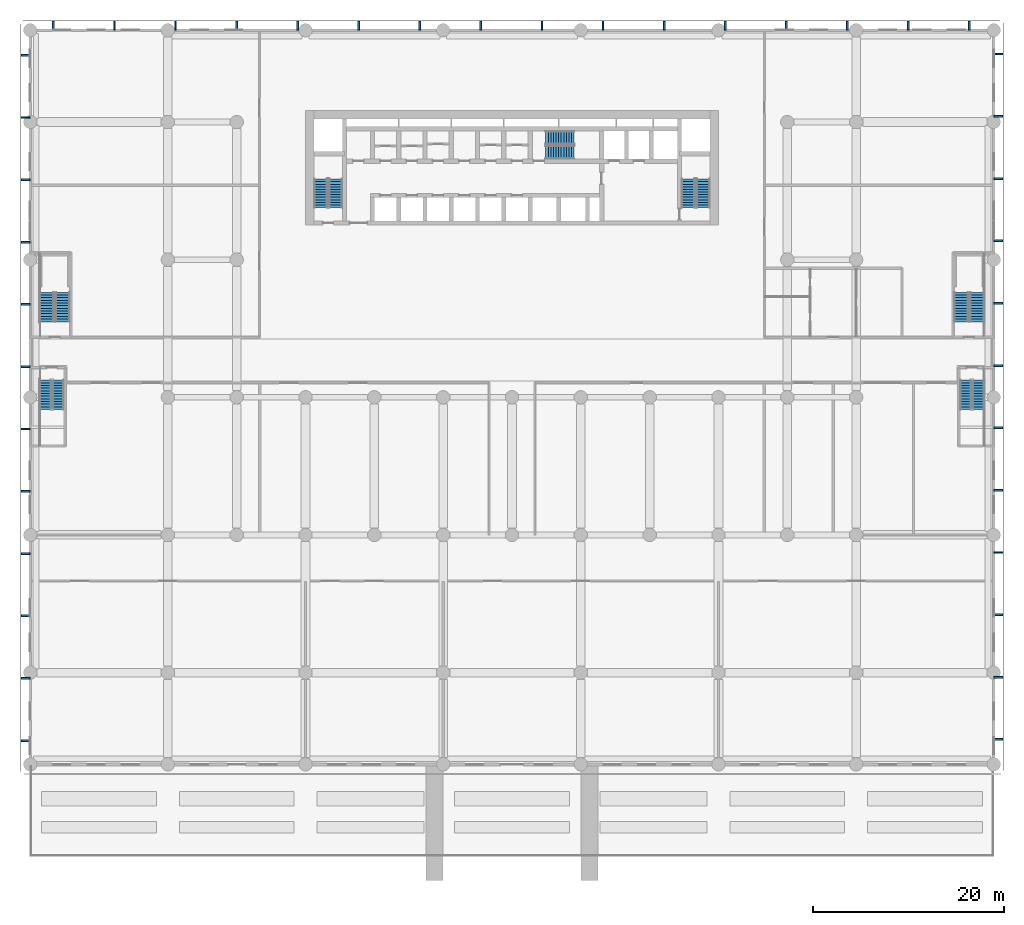
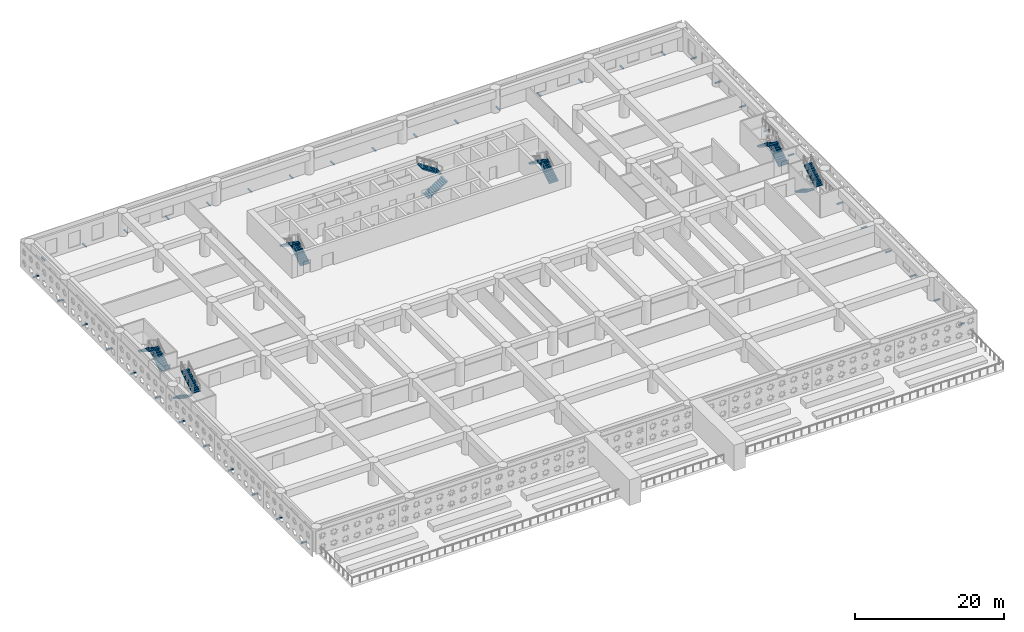
# One storey, part 11 of 24: 40 discrete accessories, 14 stair flights, 7 elements without a shape of their own.
"""IFC4 building model written with IfcOpenShell, lengths in metres."""

from ifc_helpers import new_model, si_unit, direction, frame, origin, origin_2d, place, context, subcontext, project, spatial, polyline, rectangle, outline, extrude, source, transform, mapped, material, layer, layer_set, type_object, element, aggregate, save


model = new_model("IFC4")

# Units and contexts
model_context = context("Model", 3, precision=1e-05, world=origin(), true_north=direction((0.0, 1.0)))
body_context = subcontext(model_context, "Body", "Model", "MODEL_VIEW")
ifc_project = project(units=[si_unit("LENGTHUNIT", "METRE"), si_unit("AREAUNIT", "SQUARE_METRE"), si_unit("VOLUMEUNIT", "CUBIC_METRE"), si_unit("PLANEANGLEUNIT", "RADIAN"), si_unit("MASSUNIT", "GRAM", prefix="KILO")], contexts=[model_context])

# Site, building, storey
site_placement = place(None, origin())
site = spatial("IfcSite", under=ifc_project, at=site_placement, CompositionType="ELEMENT")
building_placement = place(site_placement, origin())
building = spatial("IfcBuilding", under=site, at=building_placement, Name="Saffron Iwan Residences", CompositionType="ELEMENT")
storey_placement = place(building_placement, frame((0.0, 0.0, 13.199951171875)))
storey = spatial("IfcBuildingStorey", under=building, at=storey_placement, Name="L02", CompositionType="ELEMENT", Elevation=13.199951171875)

# Stair, stair flights
ifc_material_1 = material(Name="Concrete C40/50", Category="concrete")
stair_type_1 = type_object("IfcStairType", Name="Podium stair, reinforced concrete", PredefinedType="HALF_TURN_STAIR", material=ifc_material_1)
stair_1_placement = place(storey_placement, origin())
stair_1 = element("IfcStair", 1, at=stair_1_placement, inside=storey, type_object=stair_type_1, Name="L02 Podium Stair 1", PredefinedType="HALF_TURN_STAIR")
stair_flight_type_1 = type_object("IfcStairFlightType", Name="Podium stair flight, reinforced concrete", PredefinedType="STRAIGHT", material=ifc_material_1)
stair_flight_1_placement = place(storey_placement, frame((1.60009765625, 49.800048828125, 0.0), z_axis=(0.0, 0.0, 1.0), x_axis=(0.0, -1.0, 0.0)))
stair_flight_1 = element("IfcStairFlight", 2, at=stair_flight_1_placement, type_object=stair_flight_type_1, Name="PS1 flight 1", NumberOfRisers=12, NumberOfTreads=11, PredefinedType="STRAIGHT", RiserHeight=0.175, TreadLength=0.28, context=body_context, shape_type="SweptSolid", body=[
    extrude(outline(polyline([(0.0, 0.0), (0.0, 0.175048828125), (0.280029296875, 0.175048828125), (0.280029296875, 0.35009765625), (0.56005859375, 0.35009765625), (0.56005859375, 0.52490234375), (0.840087890625, 0.52490234375), (0.840087890625, 0.699951171875), (1.1201171875, 0.699951171875), (1.1201171875, 0.875), (1.39990234375, 0.875), (1.39990234375, 1.050048828125), (1.679931640625, 1.050048828125), (1.679931640625, 1.22509765625), (1.9599609375, 1.22509765625), (1.9599609375, 1.39990234375), (2.239990234375, 1.39990234375), (2.239990234375, 1.574951171875), (2.52001953125, 1.574951171875), (2.52001953125, 1.75), (2.800048828125, 1.75), (2.800048828125, 1.925048828125), (3.080078125, 1.925048828125), (3.080078125, 2.10009765625), (3.080078125, 1.748291015625), (0.28271484375, 0.0), (0.0, 0.0)])), frame((0.0, 0.60009765625, 0.0), z_axis=(0.0, -1.0, 0.0), x_axis=(1.0, 0.0, 0.0)), (0.0, 0.0, 1.0), 1.199951171875),
])
stair_flight_2_placement = place(storey_placement, frame((2.949951171875, 46.719970703125, 2.10009765625), z_axis=(0.0, 0.0, 1.0), x_axis=(0.0, 1.0, 0.0)))
stair_flight_2 = element("IfcStairFlight", 3, at=stair_flight_2_placement, type_object=stair_flight_type_1, Name="PS1 flight 2", NumberOfRisers=12, NumberOfTreads=11, PredefinedType="STRAIGHT", RiserHeight=0.175, TreadLength=0.28, context=body_context, shape_type="SweptSolid", body=[
    extrude(outline(polyline([(0.0, 0.0), (0.0, 0.175048828125), (0.280029296875, 0.175048828125), (0.280029296875, 0.35009765625), (0.56005859375, 0.35009765625), (0.56005859375, 0.52490234375), (0.840087890625, 0.52490234375), (0.840087890625, 0.699951171875), (1.1201171875, 0.699951171875), (1.1201171875, 0.875), (1.39990234375, 0.875), (1.39990234375, 1.050048828125), (1.679931640625, 1.050048828125), (1.679931640625, 1.22509765625), (1.9599609375, 1.22509765625), (1.9599609375, 1.39990234375), (2.239990234375, 1.39990234375), (2.239990234375, 1.574951171875), (2.52001953125, 1.574951171875), (2.52001953125, 1.75), (2.800048828125, 1.75), (2.800048828125, 1.925048828125), (3.080078125, 1.925048828125), (3.080078125, 2.10009765625), (3.080078125, 1.748291015625), (0.28271484375, 0.0), (0.0, 0.0)])), frame((0.0, 0.60009765625, 0.0), z_axis=(0.0, -1.0, 0.0), x_axis=(1.0, 0.0, 0.0)), (0.0, 0.0, 1.0), 1.199951171875),
])
aggregate(stair_1, [stair_flight_1, stair_flight_2])

stair_2_placement = place(storey_placement, origin())
stair_2 = element("IfcStair", 4, at=stair_2_placement, inside=storey, type_object=stair_type_1, Name="L02 Podium Stair 2", PredefinedType="HALF_TURN_STAIR")
stair_flight_3_placement = place(storey_placement, frame((97.85009765625, 49.800048828125, 0.0), z_axis=(0.0, 0.0, 1.0), x_axis=(0.0, -1.0, 0.0)))
stair_flight_3 = element("IfcStairFlight", 5, at=stair_flight_3_placement, type_object=stair_flight_type_1, Name="PS2 flight 1", NumberOfRisers=12, NumberOfTreads=11, PredefinedType="STRAIGHT", RiserHeight=0.175, TreadLength=0.28, context=body_context, shape_type="SweptSolid", body=[
    extrude(outline(polyline([(0.0, 0.0), (0.0, 0.175048828125), (0.280029296875, 0.175048828125), (0.280029296875, 0.35009765625), (0.56005859375, 0.35009765625), (0.56005859375, 0.52490234375), (0.840087890625, 0.52490234375), (0.840087890625, 0.699951171875), (1.1201171875, 0.699951171875), (1.1201171875, 0.875), (1.39990234375, 0.875), (1.39990234375, 1.050048828125), (1.679931640625, 1.050048828125), (1.679931640625, 1.22509765625), (1.9599609375, 1.22509765625), (1.9599609375, 1.39990234375), (2.239990234375, 1.39990234375), (2.239990234375, 1.574951171875), (2.52001953125, 1.574951171875), (2.52001953125, 1.75), (2.800048828125, 1.75), (2.800048828125, 1.925048828125), (3.080078125, 1.925048828125), (3.080078125, 2.10009765625), (3.080078125, 1.748291015625), (0.28271484375, 0.0), (0.0, 0.0)])), frame((0.0, 0.60009765625, 0.0), z_axis=(0.0, -1.0, 0.0), x_axis=(1.0, 0.0, 0.0)), (0.0, 0.0, 1.0), 1.199951171875),
])
stair_flight_4_placement = place(storey_placement, frame((99.199951171875, 46.719970703125, 2.10009765625), z_axis=(0.0, 0.0, 1.0), x_axis=(0.0, 1.0, 0.0)))
stair_flight_4 = element("IfcStairFlight", 6, at=stair_flight_4_placement, type_object=stair_flight_type_1, Name="PS2 flight 2", NumberOfRisers=12, NumberOfTreads=11, PredefinedType="STRAIGHT", RiserHeight=0.175, TreadLength=0.28, context=body_context, shape_type="SweptSolid", body=[
    extrude(outline(polyline([(0.0, 0.0), (0.0, 0.175048828125), (0.280029296875, 0.175048828125), (0.280029296875, 0.35009765625), (0.56005859375, 0.35009765625), (0.56005859375, 0.52490234375), (0.840087890625, 0.52490234375), (0.840087890625, 0.699951171875), (1.1201171875, 0.699951171875), (1.1201171875, 0.875), (1.39990234375, 0.875), (1.39990234375, 1.050048828125), (1.679931640625, 1.050048828125), (1.679931640625, 1.22509765625), (1.9599609375, 1.22509765625), (1.9599609375, 1.39990234375), (2.239990234375, 1.39990234375), (2.239990234375, 1.574951171875), (2.52001953125, 1.574951171875), (2.52001953125, 1.75), (2.800048828125, 1.75), (2.800048828125, 1.925048828125), (3.080078125, 1.925048828125), (3.080078125, 2.10009765625), (3.080078125, 1.748291015625), (0.28271484375, 0.0), (0.0, 0.0)])), frame((0.0, 0.60009765625, 0.0), z_axis=(0.0, -1.0, 0.0), x_axis=(1.0, 0.0, 0.0)), (0.0, 0.0, 1.0), 1.199951171875),
])
aggregate(stair_2, [stair_flight_3, stair_flight_4])

stair_3_placement = place(storey_placement, origin())
stair_3 = element("IfcStair", 7, at=stair_3_placement, inside=storey, type_object=stair_type_1, Name="L02 Podium Stair 3", PredefinedType="HALF_TURN_STAIR")
stair_flight_5_placement = place(storey_placement, frame((3.39990234375, 55.89990234375, 0.0), z_axis=(0.0, 0.0, 1.0), x_axis=(0.0, 1.0, 0.0)))
stair_flight_5 = element("IfcStairFlight", 8, at=stair_flight_5_placement, type_object=stair_flight_type_1, Name="PS3 flight 1", NumberOfRisers=12, NumberOfTreads=11, PredefinedType="STRAIGHT", RiserHeight=0.175, TreadLength=0.28, context=body_context, shape_type="SweptSolid", body=[
    extrude(outline(polyline([(0.0, 0.0), (0.0, 0.175048828125), (0.280029296875, 0.175048828125), (0.280029296875, 0.35009765625), (0.56005859375, 0.35009765625), (0.56005859375, 0.52490234375), (0.840087890625, 0.52490234375), (0.840087890625, 0.699951171875), (1.1201171875, 0.699951171875), (1.1201171875, 0.875), (1.39990234375, 0.875), (1.39990234375, 1.050048828125), (1.679931640625, 1.050048828125), (1.679931640625, 1.22509765625), (1.9599609375, 1.22509765625), (1.9599609375, 1.39990234375), (2.239990234375, 1.39990234375), (2.239990234375, 1.574951171875), (2.52001953125, 1.574951171875), (2.52001953125, 1.75), (2.800048828125, 1.75), (2.800048828125, 1.925048828125), (3.080078125, 1.925048828125), (3.080078125, 2.10009765625), (3.080078125, 1.748291015625), (0.28271484375, 0.0), (0.0, 0.0)])), frame((0.0, 0.75, 0.0), z_axis=(0.0, -1.0, 0.0), x_axis=(1.0, 0.0, 0.0)), (0.0, 0.0, 1.0), 1.5),
])
stair_flight_6_placement = place(storey_placement, frame((1.75, 58.97998046875, 2.10009765625), z_axis=(0.0, 0.0, 1.0), x_axis=(0.0, -1.0, 0.0)))
stair_flight_6 = element("IfcStairFlight", 9, at=stair_flight_6_placement, type_object=stair_flight_type_1, Name="PS3 flight 2", NumberOfRisers=12, NumberOfTreads=11, PredefinedType="STRAIGHT", RiserHeight=0.175, TreadLength=0.28, context=body_context, shape_type="SweptSolid", body=[
    extrude(outline(polyline([(0.0, 0.0), (0.0, 0.175048828125), (0.280029296875, 0.175048828125), (0.280029296875, 0.35009765625), (0.56005859375, 0.35009765625), (0.56005859375, 0.52490234375), (0.840087890625, 0.52490234375), (0.840087890625, 0.699951171875), (1.1201171875, 0.699951171875), (1.1201171875, 0.875), (1.39990234375, 0.875), (1.39990234375, 1.050048828125), (1.679931640625, 1.050048828125), (1.679931640625, 1.22509765625), (1.9599609375, 1.22509765625), (1.9599609375, 1.39990234375), (2.239990234375, 1.39990234375), (2.239990234375, 1.574951171875), (2.52001953125, 1.574951171875), (2.52001953125, 1.75), (2.800048828125, 1.75), (2.800048828125, 1.925048828125), (3.080078125, 1.925048828125), (3.080078125, 2.10009765625), (3.080078125, 1.748291015625), (0.28271484375, 0.0), (0.0, 0.0)])), frame((0.0, 0.75, 0.0), z_axis=(0.0, -1.0, 0.0), x_axis=(1.0, 0.0, 0.0)), (0.0, 0.0, 1.0), 1.5),
])
aggregate(stair_3, [stair_flight_5, stair_flight_6])

stair_4_placement = place(storey_placement, origin())
stair_4 = element("IfcStair", 10, at=stair_4_placement, inside=storey, type_object=stair_type_1, Name="L02 Podium Stair 4", PredefinedType="HALF_TURN_STAIR")
stair_flight_7_placement = place(storey_placement, frame((99.050048828125, 55.89990234375, 0.0), z_axis=(0.0, 0.0, 1.0), x_axis=(0.0, 1.0, 0.0)))
stair_flight_7 = element("IfcStairFlight", 11, at=stair_flight_7_placement, type_object=stair_flight_type_1, Name="PS4 flight 1", NumberOfRisers=12, NumberOfTreads=11, PredefinedType="STRAIGHT", RiserHeight=0.175, TreadLength=0.28, context=body_context, shape_type="SweptSolid", body=[
    extrude(outline(polyline([(0.0, 0.0), (0.0, 0.175048828125), (0.280029296875, 0.175048828125), (0.280029296875, 0.35009765625), (0.56005859375, 0.35009765625), (0.56005859375, 0.52490234375), (0.840087890625, 0.52490234375), (0.840087890625, 0.699951171875), (1.1201171875, 0.699951171875), (1.1201171875, 0.875), (1.39990234375, 0.875), (1.39990234375, 1.050048828125), (1.679931640625, 1.050048828125), (1.679931640625, 1.22509765625), (1.9599609375, 1.22509765625), (1.9599609375, 1.39990234375), (2.239990234375, 1.39990234375), (2.239990234375, 1.574951171875), (2.52001953125, 1.574951171875), (2.52001953125, 1.75), (2.800048828125, 1.75), (2.800048828125, 1.925048828125), (3.080078125, 1.925048828125), (3.080078125, 2.10009765625), (3.080078125, 1.748291015625), (0.28271484375, 0.0), (0.0, 0.0)])), frame((0.0, 0.75, 0.0), z_axis=(0.0, -1.0, 0.0), x_axis=(1.0, 0.0, 0.0)), (0.0, 0.0, 1.0), 1.5),
])
stair_flight_8_placement = place(storey_placement, frame((97.39990234375, 58.97998046875, 2.10009765625), z_axis=(0.0, 0.0, 1.0), x_axis=(0.0, -1.0, 0.0)))
stair_flight_8 = element("IfcStairFlight", 12, at=stair_flight_8_placement, type_object=stair_flight_type_1, Name="PS4 flight 2", NumberOfRisers=12, NumberOfTreads=11, PredefinedType="STRAIGHT", RiserHeight=0.175, TreadLength=0.28, context=body_context, shape_type="SweptSolid", body=[
    extrude(outline(polyline([(0.0, 0.0), (0.0, 0.175048828125), (0.280029296875, 0.175048828125), (0.280029296875, 0.35009765625), (0.56005859375, 0.35009765625), (0.56005859375, 0.52490234375), (0.840087890625, 0.52490234375), (0.840087890625, 0.699951171875), (1.1201171875, 0.699951171875), (1.1201171875, 0.875), (1.39990234375, 0.875), (1.39990234375, 1.050048828125), (1.679931640625, 1.050048828125), (1.679931640625, 1.22509765625), (1.9599609375, 1.22509765625), (1.9599609375, 1.39990234375), (2.239990234375, 1.39990234375), (2.239990234375, 1.574951171875), (2.52001953125, 1.574951171875), (2.52001953125, 1.75), (2.800048828125, 1.75), (2.800048828125, 1.925048828125), (3.080078125, 1.925048828125), (3.080078125, 2.10009765625), (3.080078125, 1.748291015625), (0.28271484375, 0.0), (0.0, 0.0)])), frame((0.0, 0.75, 0.0), z_axis=(0.0, -1.0, 0.0), x_axis=(1.0, 0.0, 0.0)), (0.0, 0.0, 1.0), 1.5),
])
aggregate(stair_4, [stair_flight_7, stair_flight_8])

ifc_material_2 = material(Name="Concrete C50/60", Category="concrete")
stair_type_2 = type_object("IfcStairType", Name="Stair ST-CORE", PredefinedType="HALF_TURN_STAIR", material=ifc_material_2)
stair_5_placement = place(storey_placement, origin())
stair_5 = element("IfcStair", 13, at=stair_5_placement, inside=storey, type_object=stair_type_2, Name="L02 Exit Stair ST-W", PredefinedType="HALF_TURN_STAIR")
ifc_layer = layer(ifc_material_2, 0.14990234375)
ifc_layer_set = layer_set([ifc_layer], Name="Concrete C50/60")
stair_flight_type_2 = type_object("IfcStairFlightType", Name="Stair flight SFL-RC", PredefinedType="STRAIGHT", material=ifc_layer_set)
stair_flight_9_placement = place(storey_placement, frame((31.949951171875, 67.85009765625, 0.0), z_axis=(0.0, 0.0, 1.0), x_axis=(0.0, 1.0, 0.0)))
stair_flight_9 = element("IfcStairFlight", 14, at=stair_flight_9_placement, type_object=stair_flight_type_2, Name="ST-W flight 1", NumberOfRisers=12, NumberOfTreads=11, PredefinedType="STRAIGHT", RiserHeight=0.175, TreadLength=0.27, context=body_context, shape_type="SweptSolid", body=[
    extrude(outline(polyline([(0.0, 0.0), (0.0, 0.175048828125), (0.27001953125, 0.175048828125), (0.27001953125, 0.35009765625), (0.5400390625, 0.35009765625), (0.5400390625, 0.52490234375), (0.81005859375, 0.52490234375), (0.81005859375, 0.699951171875), (1.080078125, 0.699951171875), (1.080078125, 0.875), (1.35009765625, 0.875), (1.35009765625, 1.050048828125), (1.6201171875, 1.050048828125), (1.6201171875, 1.22509765625), (1.889892578125, 1.22509765625), (1.889892578125, 1.39990234375), (2.159912109375, 1.39990234375), (2.159912109375, 1.574951171875), (2.429931640625, 1.574951171875), (2.429931640625, 1.75), (2.699951171875, 1.75), (2.699951171875, 1.925048828125), (2.969970703125, 1.925048828125), (2.969970703125, 2.10009765625), (2.969970703125, 1.746337890625), (0.275634765625, 0.0), (0.0, 0.0)])), frame((0.0, 0.699951171875, 0.0), z_axis=(0.0, -1.0, 0.0), x_axis=(1.0, 0.0, 0.0)), (0.0, 0.0, 1.0), 1.39990234375),
])
stair_flight_10_placement = place(storey_placement, frame((30.39990234375, 70.820068359375, 2.10009765625), z_axis=(0.0, 0.0, 1.0), x_axis=(0.0, -1.0, 0.0)))
stair_flight_10 = element("IfcStairFlight", 15, at=stair_flight_10_placement, type_object=stair_flight_type_2, Name="ST-W flight 2", NumberOfRisers=12, NumberOfTreads=11, PredefinedType="STRAIGHT", RiserHeight=0.175, TreadLength=0.27, context=body_context, shape_type="SweptSolid", body=[
    extrude(outline(polyline([(0.0, 0.0), (0.0, 0.175048828125), (0.27001953125, 0.175048828125), (0.27001953125, 0.35009765625), (0.5400390625, 0.35009765625), (0.5400390625, 0.52490234375), (0.81005859375, 0.52490234375), (0.81005859375, 0.699951171875), (1.080078125, 0.699951171875), (1.080078125, 0.875), (1.35009765625, 0.875), (1.35009765625, 1.050048828125), (1.6201171875, 1.050048828125), (1.6201171875, 1.22509765625), (1.889892578125, 1.22509765625), (1.889892578125, 1.39990234375), (2.159912109375, 1.39990234375), (2.159912109375, 1.574951171875), (2.429931640625, 1.574951171875), (2.429931640625, 1.75), (2.699951171875, 1.75), (2.699951171875, 1.925048828125), (2.969970703125, 1.925048828125), (2.969970703125, 2.10009765625), (2.969970703125, 1.746337890625), (0.275634765625, 0.0), (0.0, 0.0)])), frame((0.0, 0.699951171875, 0.0), z_axis=(0.0, -1.0, 0.0), x_axis=(1.0, 0.0, 0.0)), (0.0, 0.0, 1.0), 1.39990234375),
])
aggregate(stair_5, [stair_flight_9, stair_flight_10])

stair_6_placement = place(storey_placement, origin())
stair_6 = element("IfcStair", 16, at=stair_6_placement, inside=storey, type_object=stair_type_2, Name="L02 Exit Stair ST-C", PredefinedType="HALF_TURN_STAIR")
stair_flight_11_placement = place(storey_placement, frame((53.925048828125, 73.625, 0.0), z_axis=(0.0, 0.0, 1.0), x_axis=(1.0, 0.0, 0.0)))
stair_flight_11 = element("IfcStairFlight", 17, at=stair_flight_11_placement, type_object=stair_flight_type_2, Name="ST-C flight 1", NumberOfRisers=12, NumberOfTreads=11, PredefinedType="STRAIGHT", RiserHeight=0.175, TreadLength=0.27, context=body_context, shape_type="SweptSolid", body=[
    extrude(outline(polyline([(0.0, 0.0), (0.0, 0.175048828125), (0.27001953125, 0.175048828125), (0.27001953125, 0.35009765625), (0.5400390625, 0.35009765625), (0.5400390625, 0.52490234375), (0.81005859375, 0.52490234375), (0.81005859375, 0.699951171875), (1.080078125, 0.699951171875), (1.080078125, 0.875), (1.35009765625, 0.875), (1.35009765625, 1.050048828125), (1.6201171875, 1.050048828125), (1.6201171875, 1.22509765625), (1.889892578125, 1.22509765625), (1.889892578125, 1.39990234375), (2.159912109375, 1.39990234375), (2.159912109375, 1.574951171875), (2.429931640625, 1.574951171875), (2.429931640625, 1.75), (2.699951171875, 1.75), (2.699951171875, 1.925048828125), (2.969970703125, 1.925048828125), (2.969970703125, 2.10009765625), (2.969970703125, 1.746337890625), (0.275634765625, 0.0), (0.0, 0.0)])), frame((0.0, 0.699951171875, 0.0), z_axis=(0.0, -1.0, 0.0), x_axis=(1.0, 0.0, 0.0)), (0.0, 0.0, 1.0), 1.39990234375),
])
stair_flight_12_placement = place(storey_placement, frame((56.89501953125, 75.175048828125, 2.10009765625), z_axis=(0.0, 0.0, 1.0), x_axis=(-1.0, 0.0, 0.0)))
stair_flight_12 = element("IfcStairFlight", 18, at=stair_flight_12_placement, type_object=stair_flight_type_2, Name="ST-C flight 2", NumberOfRisers=12, NumberOfTreads=11, PredefinedType="STRAIGHT", RiserHeight=0.175, TreadLength=0.27, context=body_context, shape_type="SweptSolid", body=[
    extrude(outline(polyline([(0.0, 0.0), (0.0, 0.175048828125), (0.27001953125, 0.175048828125), (0.27001953125, 0.35009765625), (0.5400390625, 0.35009765625), (0.5400390625, 0.52490234375), (0.81005859375, 0.52490234375), (0.81005859375, 0.699951171875), (1.080078125, 0.699951171875), (1.080078125, 0.875), (1.35009765625, 0.875), (1.35009765625, 1.050048828125), (1.6201171875, 1.050048828125), (1.6201171875, 1.22509765625), (1.889892578125, 1.22509765625), (1.889892578125, 1.39990234375), (2.159912109375, 1.39990234375), (2.159912109375, 1.574951171875), (2.429931640625, 1.574951171875), (2.429931640625, 1.75), (2.699951171875, 1.75), (2.699951171875, 1.925048828125), (2.969970703125, 1.925048828125), (2.969970703125, 2.10009765625), (2.969970703125, 1.746337890625), (0.275634765625, 0.0), (0.0, 0.0)])), frame((0.0, 0.699951171875, 0.0), z_axis=(0.0, -1.0, 0.0), x_axis=(1.0, 0.0, 0.0)), (0.0, 0.0, 1.0), 1.39990234375),
])
aggregate(stair_6, [stair_flight_11, stair_flight_12])

stair_7_placement = place(storey_placement, origin())
stair_7 = element("IfcStair", 19, at=stair_7_placement, inside=storey, type_object=stair_type_2, Name="L02 Exit Stair ST-E", PredefinedType="HALF_TURN_STAIR")
stair_flight_13_placement = place(storey_placement, frame((70.39990234375, 67.85009765625, 0.0), z_axis=(0.0, 0.0, 1.0), x_axis=(0.0, 1.0, 0.0)))
stair_flight_13 = element("IfcStairFlight", 20, at=stair_flight_13_placement, type_object=stair_flight_type_2, Name="ST-E flight 1", NumberOfRisers=12, NumberOfTreads=11, PredefinedType="STRAIGHT", RiserHeight=0.175, TreadLength=0.27, context=body_context, shape_type="SweptSolid", body=[
    extrude(outline(polyline([(0.0, 0.0), (0.0, 0.175048828125), (0.27001953125, 0.175048828125), (0.27001953125, 0.35009765625), (0.5400390625, 0.35009765625), (0.5400390625, 0.52490234375), (0.81005859375, 0.52490234375), (0.81005859375, 0.699951171875), (1.080078125, 0.699951171875), (1.080078125, 0.875), (1.35009765625, 0.875), (1.35009765625, 1.050048828125), (1.6201171875, 1.050048828125), (1.6201171875, 1.22509765625), (1.889892578125, 1.22509765625), (1.889892578125, 1.39990234375), (2.159912109375, 1.39990234375), (2.159912109375, 1.574951171875), (2.429931640625, 1.574951171875), (2.429931640625, 1.75), (2.699951171875, 1.75), (2.699951171875, 1.925048828125), (2.969970703125, 1.925048828125), (2.969970703125, 2.10009765625), (2.969970703125, 1.746337890625), (0.275634765625, 0.0), (0.0, 0.0)])), frame((0.0, 0.699951171875, 0.0), z_axis=(0.0, -1.0, 0.0), x_axis=(1.0, 0.0, 0.0)), (0.0, 0.0, 1.0), 1.39990234375),
])
stair_flight_14_placement = place(storey_placement, frame((68.85009765625, 70.820068359375, 2.10009765625), z_axis=(0.0, 0.0, 1.0), x_axis=(0.0, -1.0, 0.0)))
stair_flight_14 = element("IfcStairFlight", 21, at=stair_flight_14_placement, type_object=stair_flight_type_2, Name="ST-E flight 2", NumberOfRisers=12, NumberOfTreads=11, PredefinedType="STRAIGHT", RiserHeight=0.175, TreadLength=0.27, context=body_context, shape_type="SweptSolid", body=[
    extrude(outline(polyline([(0.0, 0.0), (0.0, 0.175048828125), (0.27001953125, 0.175048828125), (0.27001953125, 0.35009765625), (0.5400390625, 0.35009765625), (0.5400390625, 0.52490234375), (0.81005859375, 0.52490234375), (0.81005859375, 0.699951171875), (1.080078125, 0.699951171875), (1.080078125, 0.875), (1.35009765625, 0.875), (1.35009765625, 1.050048828125), (1.6201171875, 1.050048828125), (1.6201171875, 1.22509765625), (1.889892578125, 1.22509765625), (1.889892578125, 1.39990234375), (2.159912109375, 1.39990234375), (2.159912109375, 1.574951171875), (2.429931640625, 1.574951171875), (2.429931640625, 1.75), (2.699951171875, 1.75), (2.699951171875, 1.925048828125), (2.969970703125, 1.925048828125), (2.969970703125, 2.10009765625), (2.969970703125, 1.746337890625), (0.275634765625, 0.0), (0.0, 0.0)])), frame((0.0, 0.699951171875, 0.0), z_axis=(0.0, -1.0, 0.0), x_axis=(1.0, 0.0, 0.0)), (0.0, 0.0, 1.0), 1.39990234375),
])
aggregate(stair_7, [stair_flight_13, stair_flight_14])

# Discrete accessories
shared_shape = source(origin(), body_context, "Body", "SweptSolid", [
    extrude(rectangle(XDim=0.949951171875, YDim=0.199951171875, at=origin_2d()), origin(), (0.0, 0.0, 1.0), 0.199951171875),
])
for number, where, z_axis, x_axis, name in (
    (22, (101.27490234375, 12.209228515625, -0.2998046875), (0.0, 0.0, 1.0), (1.0, 0.0, 0.0), "Screen bracket L02 F1.0.0"),
    (23, (101.27490234375, 18.7275390625, -0.2998046875), (0.0, 0.0, 1.0), (1.0, 0.0, 0.0), "Screen bracket L02 F1.0.1"),
    (24, (101.27490234375, 25.245849609375, -0.2998046875), (0.0, 0.0, 1.0), (1.0, 0.0, 0.0), "Screen bracket L02 F1.1.0"),
    (25, (101.27490234375, 31.76416015625, -0.2998046875), (0.0, 0.0, 1.0), (1.0, 0.0, 0.0), "Screen bracket L02 F1.1.1"),
    (26, (101.27490234375, 38.282470703125, -0.2998046875), (0.0, 0.0, 1.0), (1.0, 0.0, 0.0), "Screen bracket L02 F1.2.0"),
    (27, (101.27490234375, 44.80078125, -0.2998046875), (0.0, 0.0, 1.0), (1.0, 0.0, 0.0), "Screen bracket L02 F1.2.1"),
    (28, (101.27490234375, 51.319091796875, -0.2998046875), (0.0, 0.0, 1.0), (1.0, 0.0, 0.0), "Screen bracket L02 F1.3.0"),
    (29, (101.27490234375, 57.83740234375, -0.2998046875), (0.0, 0.0, 1.0), (1.0, 0.0, 0.0), "Screen bracket L02 F1.3.1"),
    (30, (101.27490234375, 64.355712890625, -0.2998046875), (0.0, 0.0, 1.0), (1.0, 0.0, 0.0), "Screen bracket L02 F1.4.0"),
    (31, (101.27490234375, 70.874267578125, -0.2998046875), (0.0, 0.0, 1.0), (1.0, 0.0, 0.0), "Screen bracket L02 F1.4.1"),
    (32, (101.27490234375, 77.392578125, -0.2998046875), (0.0, 0.0, 1.0), (1.0, 0.0, 0.0), "Screen bracket L02 F1.5.0"),
    (33, (101.27490234375, 83.910888671875, -0.2998046875), (0.0, 0.0, 1.0), (1.0, 0.0, 0.0), "Screen bracket L02 F1.5.1"),
    (34, (98.255615234375, 86.875, -0.2998046875), (0.0, 0.0, 1.0), (0.0, 1.0, 0.0), "Screen bracket L02 F2.0.0"),
    (35, (91.866943359375, 86.875, -0.2998046875), (0.0, 0.0, 1.0), (0.0, 1.0, 0.0), "Screen bracket L02 F2.0.1"),
    (36, (85.47802734375, 86.875, -0.2998046875), (0.0, 0.0, 1.0), (0.0, 1.0, 0.0), "Screen bracket L02 F2.1.0"),
    (37, (79.08935546875, 86.875, -0.2998046875), (0.0, 0.0, 1.0), (0.0, 1.0, 0.0), "Screen bracket L02 F2.1.1"),
    (38, (72.70068359375, 86.875, -0.2998046875), (0.0, 0.0, 1.0), (0.0, 1.0, 0.0), "Screen bracket L02 F2.2.0"),
    (39, (66.31201171875, 86.875, -0.2998046875), (0.0, 0.0, 1.0), (0.0, 1.0, 0.0), "Screen bracket L02 F2.2.1"),
    (40, (59.923095703125, 86.875, -0.2998046875), (0.0, 0.0, 1.0), (0.0, 1.0, 0.0), "Screen bracket L02 F2.3.0"),
    (41, (53.534423828125, 86.875, -0.2998046875), (0.0, 0.0, 1.0), (0.0, 1.0, 0.0), "Screen bracket L02 F2.3.1"),
    (42, (47.1455078125, 86.875, -0.2998046875), (0.0, 0.0, 1.0), (0.0, 1.0, 0.0), "Screen bracket L02 F2.4.0"),
    (43, (40.7568359375, 86.875, -0.2998046875), (0.0, 0.0, 1.0), (0.0, 1.0, 0.0), "Screen bracket L02 F2.4.1"),
    (44, (34.3681640625, 86.875, -0.2998046875), (0.0, 0.0, 1.0), (0.0, 1.0, 0.0), "Screen bracket L02 F2.5.0"),
    (45, (27.9794921875, 86.875, -0.2998046875), (0.0, 0.0, 1.0), (0.0, 1.0, 0.0), "Screen bracket L02 F2.5.1"),
    (46, (21.590576171875, 86.875, -0.2998046875), (0.0, 0.0, 1.0), (0.0, 1.0, 0.0), "Screen bracket L02 F2.6.0"),
    (47, (15.201904296875, 86.875, -0.2998046875), (0.0, 0.0, 1.0), (0.0, 1.0, 0.0), "Screen bracket L02 F2.6.1"),
    (48, (8.81298828125, 86.875, -0.2998046875), (0.0, 0.0, 1.0), (0.0, 1.0, 0.0), "Screen bracket L02 F2.7.0"),
    (49, (2.42431640625, 86.875, -0.2998046875), (0.0, 0.0, 1.0), (0.0, 1.0, 0.0), "Screen bracket L02 F2.7.1"),
    (50, (-0.47509765625, 83.790771484375, -0.2998046875), (0.0, 0.0, 1.0), (-1.0, 0.0, 0.0), "Screen bracket L02 F3.0.0"),
    (51, (-0.47509765625, 77.2724609375, -0.2998046875), (0.0, 0.0, 1.0), (-1.0, 0.0, 0.0), "Screen bracket L02 F3.0.1"),
    (52, (-0.47509765625, 70.754150390625, -0.2998046875), (0.0, 0.0, 1.0), (-1.0, 0.0, 0.0), "Screen bracket L02 F3.1.0"),
    (53, (-0.47509765625, 64.23583984375, -0.2998046875), (0.0, 0.0, 1.0), (-1.0, 0.0, 0.0), "Screen bracket L02 F3.1.1"),
    (54, (-0.47509765625, 57.717529296875, -0.2998046875), (0.0, 0.0, 1.0), (-1.0, 0.0, 0.0), "Screen bracket L02 F3.2.0"),
    (55, (-0.47509765625, 51.19921875, -0.2998046875), (0.0, 0.0, 1.0), (-1.0, 0.0, 0.0), "Screen bracket L02 F3.2.1"),
    (56, (-0.47509765625, 44.680908203125, -0.2998046875), (0.0, 0.0, 1.0), (-1.0, 0.0, 0.0), "Screen bracket L02 F3.3.0"),
    (57, (-0.47509765625, 38.16259765625, -0.2998046875), (0.0, 0.0, 1.0), (-1.0, 0.0, 0.0), "Screen bracket L02 F3.3.1"),
    (58, (-0.47509765625, 31.644287109375, -0.2998046875), (0.0, 0.0, 1.0), (-1.0, 0.0, 0.0), "Screen bracket L02 F3.4.0"),
    (59, (-0.47509765625, 25.125732421875, -0.2998046875), (0.0, 0.0, 1.0), (-1.0, 0.0, 0.0), "Screen bracket L02 F3.4.1"),
    (60, (-0.47509765625, 18.607421875, -0.2998046875), (0.0, 0.0, 1.0), (-1.0, 0.0, 0.0), "Screen bracket L02 F3.5.0"),
    (61, (-0.47509765625, 12.089111328125, -0.2998046875), (0.0, 0.0, 1.0), (-1.0, 0.0, 0.0), "Screen bracket L02 F3.5.1"),
):
    element("IfcDiscreteAccessory", number, at=place(storey_placement, frame(where, z_axis=z_axis, x_axis=x_axis)), inside=storey, Name=name, PredefinedType="BRACKET", context=body_context, shape_type="MappedRepresentation", body=[
        mapped(shared_shape, transform((0.0, 0.0, 0.0))),
    ])

save(model, "model.ifc")
